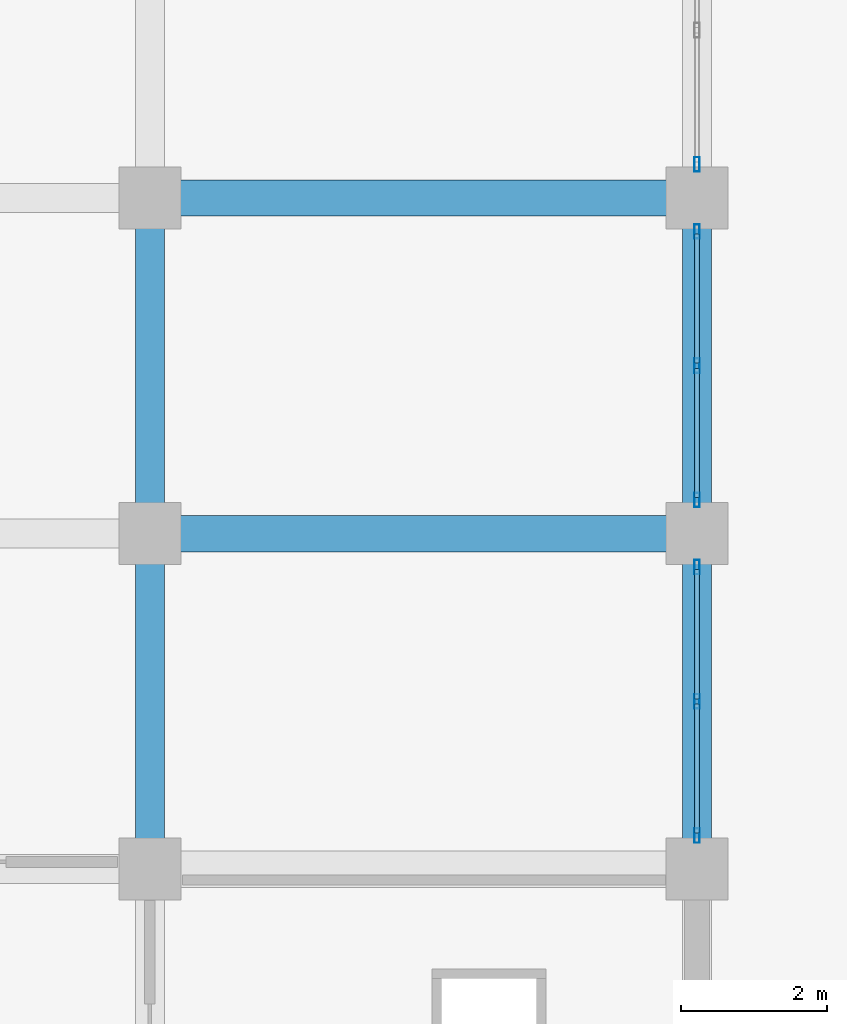
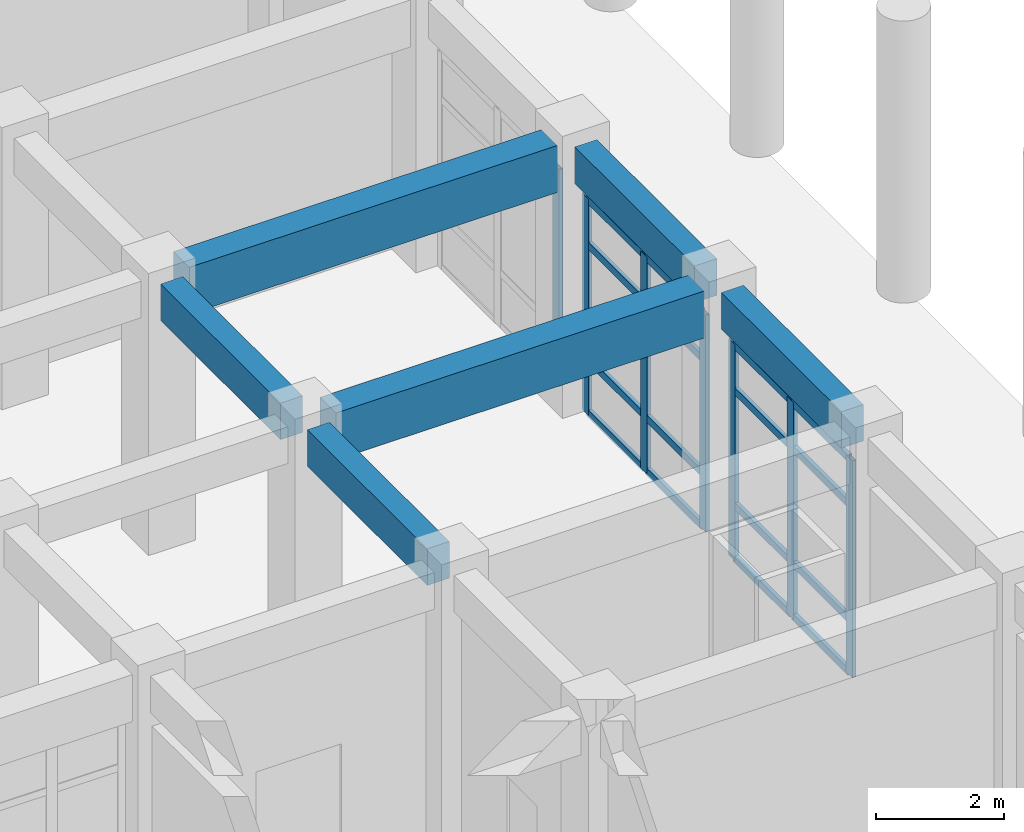
# One storey, part 47 of 84: 23 members, 6 beams, 3 elements without a shape of their own.
"""IFC4 building model written with IfcOpenShell, lengths in metres."""

from ifc_helpers import new_model, si_unit, direction, frame, origin, origin_2d, place, context, subcontext, project, spatial, rectangle, hollow_rectangle, extrude, material, layer, layer_set, material_profile, profile_set, type_object, element, aggregate, save


model = new_model("IFC4")

# Units and contexts
model_context = context("Model", 3, precision=1e-05, world=origin(), true_north=direction((0.0, 1.0)))
body_context = subcontext(model_context, "Body", "Model", "MODEL_VIEW")
ifc_project = project(units=[si_unit("LENGTHUNIT", "METRE"), si_unit("AREAUNIT", "SQUARE_METRE"), si_unit("VOLUMEUNIT", "CUBIC_METRE"), si_unit("PLANEANGLEUNIT", "RADIAN"), si_unit("MASSUNIT", "GRAM", prefix="KILO")], contexts=[model_context])

# Site, building, storey
site_placement = place(None, origin())
site = spatial("IfcSite", under=ifc_project, at=site_placement, CompositionType="ELEMENT")
building_placement = place(site_placement, origin())
building = spatial("IfcBuilding", under=site, at=building_placement, Name="Muzn Square Opera House", CompositionType="ELEMENT")
storey_placement = place(building_placement, origin())
storey = spatial("IfcBuildingStorey", under=building, at=storey_placement, Name="L00", CompositionType="ELEMENT", Elevation=0.0)

# Curtain wall, members
ifc_material_1 = material(Name="Low-E laminated acoustic double glazing", Category="glass")
ifc_layer = layer(ifc_material_1, 0.159912109375, Name="Low-E laminated acoustic double glazing", Category="glass")
ifc_layer_set = layer_set([ifc_layer], Name="Low-E laminated acoustic double glazing")
curtain_wall_type = type_object("IfcCurtainWallType", Name="Glazed Curtain Wall EastBlvd 3750x4150", PredefinedType="USERDEFINED", material=ifc_layer_set)
curtain_wall_1_placement = place(storey_placement, origin())
curtain_wall_1 = element("IfcCurtainWall", 1, at=curtain_wall_1_placement, inside=storey, type_object=curtain_wall_type, Name="Glazed Curtain Wall CW-L00-108", ObjectType="GLAZED CURTAIN WALL", PredefinedType="USERDEFINED")
ifc_material_2 = material(Name="Anodised bronze aluminium 6063-T6", Category="metal")
ifc_material_profile_1 = material_profile(ifc_material_2, hollow_rectangle(XDim=0.070068359375, YDim=0.199951171875, WallThickness=0.0048828125, at=origin_2d()), Name="ALU 200x70x5", Category="metal")
ifc_profile_set_1 = profile_set([ifc_material_profile_1], Name="Anodised bronze aluminium 6063-T6")
member_type_1 = type_object("IfcMemberType", Name="Curtain Wall Mullion 200x70", PredefinedType="MULLION", material=ifc_profile_set_1)
member_1_placement = place(storey_placement, frame((170.0, 54.659912109375, 0.0), z_axis=(0.0, 0.0, 1.0), x_axis=(-1.0, 0.0, 0.0)))
member_1 = element("IfcMember", 2, at=member_1_placement, type_object=member_type_1, Name="CW-EBL-37x41 mullion 1", PredefinedType="MULLION", context=body_context, shape_type="SweptSolid", body=[
    extrude(hollow_rectangle(XDim=0.070068359375, YDim=0.199951171875, WallThickness=0.0048828125, at=origin_2d()), origin(), (0.0, 0.0, 1.0), 4.14990234375),
])
member_2_placement = place(storey_placement, frame((170.0, 56.5, 0.0), z_axis=(0.0, 0.0, 1.0), x_axis=(-1.0, 0.0, 0.0)))
member_2 = element("IfcMember", 3, at=member_2_placement, type_object=member_type_1, Name="CW-EBL-37x41 mullion 2", PredefinedType="MULLION", context=body_context, shape_type="SweptSolid", body=[
    extrude(hollow_rectangle(XDim=0.070068359375, YDim=0.199951171875, WallThickness=0.0048828125, at=origin_2d()), origin(), (0.0, 0.0, 1.0), 4.14990234375),
])
member_3_placement = place(storey_placement, frame((170.0, 58.340087890625, 0.0), z_axis=(0.0, 0.0, 1.0), x_axis=(-1.0, 0.0, 0.0)))
member_3 = element("IfcMember", 4, at=member_3_placement, type_object=member_type_1, Name="CW-EBL-37x41 mullion 3", PredefinedType="MULLION", context=body_context, shape_type="SweptSolid", body=[
    extrude(hollow_rectangle(XDim=0.070068359375, YDim=0.199951171875, WallThickness=0.0048828125, at=origin_2d()), origin(), (0.0, 0.0, 1.0), 4.14990234375),
])

curtain_wall_2_placement = place(storey_placement, origin())
curtain_wall_2 = element("IfcCurtainWall", 5, at=curtain_wall_2_placement, inside=storey, type_object=curtain_wall_type, Name="Glazed Curtain Wall CW-L00-109", ObjectType="GLAZED CURTAIN WALL", PredefinedType="USERDEFINED")
member_4_placement = place(storey_placement, frame((170.0, 59.260009765625, 0.0), z_axis=(0.0, 0.0, 1.0), x_axis=(-1.0, 0.0, 0.0)))
member_4 = element("IfcMember", 6, at=member_4_placement, type_object=member_type_1, Name="CW-EBL-37x41 mullion 1", PredefinedType="MULLION", context=body_context, shape_type="SweptSolid", body=[
    extrude(hollow_rectangle(XDim=0.070068359375, YDim=0.199951171875, WallThickness=0.0048828125, at=origin_2d()), origin(), (0.0, 0.0, 1.0), 4.14990234375),
])
member_5_placement = place(storey_placement, frame((170.0, 61.10009765625, 0.0), z_axis=(0.0, 0.0, 1.0), x_axis=(-1.0, 0.0, 0.0)))
member_5 = element("IfcMember", 7, at=member_5_placement, type_object=member_type_1, Name="CW-EBL-37x41 mullion 2", PredefinedType="MULLION", context=body_context, shape_type="SweptSolid", body=[
    extrude(hollow_rectangle(XDim=0.070068359375, YDim=0.199951171875, WallThickness=0.0048828125, at=origin_2d()), origin(), (0.0, 0.0, 1.0), 4.14990234375),
])
member_6_placement = place(storey_placement, frame((170.0, 62.93994140625, 0.0), z_axis=(0.0, 0.0, 1.0), x_axis=(-1.0, 0.0, 0.0)))
member_6 = element("IfcMember", 8, at=member_6_placement, type_object=member_type_1, Name="CW-EBL-37x41 mullion 3", PredefinedType="MULLION", context=body_context, shape_type="SweptSolid", body=[
    extrude(hollow_rectangle(XDim=0.070068359375, YDim=0.199951171875, WallThickness=0.0048828125, at=origin_2d()), origin(), (0.0, 0.0, 1.0), 4.14990234375),
])

# Curtain wall, member
curtain_wall_3_placement = place(storey_placement, origin())
curtain_wall_3 = element("IfcCurtainWall", 9, at=curtain_wall_3_placement, inside=storey, type_object=curtain_wall_type, Name="Glazed Curtain Wall CW-L00-110", ObjectType="GLAZED CURTAIN WALL", PredefinedType="USERDEFINED")
member_7_placement = place(storey_placement, frame((170.0, 63.860107421875, 0.0), z_axis=(0.0, 0.0, 1.0), x_axis=(-1.0, 0.0, 0.0)))
member_7 = element("IfcMember", 10, at=member_7_placement, type_object=member_type_1, Name="CW-EBL-37x41 mullion 1", PredefinedType="MULLION", context=body_context, shape_type="SweptSolid", body=[
    extrude(hollow_rectangle(XDim=0.070068359375, YDim=0.199951171875, WallThickness=0.0048828125, at=origin_2d()), origin(), (0.0, 0.0, 1.0), 4.14990234375),
])
aggregate(curtain_wall_3, [member_7])

# Member
ifc_material_profile_2 = material_profile(ifc_material_2, hollow_rectangle(XDim=0.070068359375, YDim=0.139892578125, WallThickness=0.00390625, at=origin_2d()), Name="ALU 140x70x4", Category="metal")
ifc_profile_set_2 = profile_set([ifc_material_profile_2], Name="Anodised bronze aluminium 6063-T6")
member_type_2 = type_object("IfcMemberType", Name="Curtain Wall Transom 140x70", PredefinedType="USERDEFINED", material=ifc_profile_set_2)
member_8_placement = place(storey_placement, frame((170.0, 54.695068359375, 0.034912109375), z_axis=(0.0, 1.0, 0.0), x_axis=(-1.0, 0.0, 0.0)))
member_8 = element("IfcMember", 11, at=member_8_placement, type_object=member_type_2, Name="CW-EBL-37x41 transom 1.1", ObjectType="TRANSOM", PredefinedType="USERDEFINED", context=body_context, shape_type="SweptSolid", body=[
    extrude(hollow_rectangle(XDim=0.070068359375, YDim=0.139892578125, WallThickness=0.00390625, at=origin_2d()), origin(), (0.0, 0.0, 1.0), 1.77001953125),
])

member_9_placement = place(storey_placement, frame((170.0, 54.695068359375, 1.050048828125), z_axis=(0.0, 1.0, 0.0), x_axis=(-1.0, 0.0, 0.0)))
member_9 = element("IfcMember", 12, at=member_9_placement, type_object=member_type_2, Name="CW-EBL-37x41 transom 1.2", ObjectType="TRANSOM", PredefinedType="USERDEFINED", context=body_context, shape_type="SweptSolid", body=[
    extrude(hollow_rectangle(XDim=0.070068359375, YDim=0.139892578125, WallThickness=0.00390625, at=origin_2d()), origin(), (0.0, 0.0, 1.0), 1.77001953125),
])

member_10_placement = place(storey_placement, frame((170.0, 54.695068359375, 3.25), z_axis=(0.0, 1.0, 0.0), x_axis=(-1.0, 0.0, 0.0)))
member_10 = element("IfcMember", 13, at=member_10_placement, type_object=member_type_2, Name="CW-EBL-37x41 transom 1.3", ObjectType="TRANSOM", PredefinedType="USERDEFINED", context=body_context, shape_type="SweptSolid", body=[
    extrude(hollow_rectangle(XDim=0.070068359375, YDim=0.139892578125, WallThickness=0.00390625, at=origin_2d()), origin(), (0.0, 0.0, 1.0), 1.77001953125),
])

member_11_placement = place(storey_placement, frame((170.0, 54.695068359375, 4.114990234375), z_axis=(0.0, 1.0, 0.0), x_axis=(-1.0, 0.0, 0.0)))
member_11 = element("IfcMember", 14, at=member_11_placement, type_object=member_type_2, Name="CW-EBL-37x41 transom 1.4", ObjectType="TRANSOM", PredefinedType="USERDEFINED", context=body_context, shape_type="SweptSolid", body=[
    extrude(hollow_rectangle(XDim=0.070068359375, YDim=0.139892578125, WallThickness=0.00390625, at=origin_2d()), origin(), (0.0, 0.0, 1.0), 1.77001953125),
])

member_12_placement = place(storey_placement, frame((170.0, 56.534912109375, 0.034912109375), z_axis=(0.0, 1.0, 0.0), x_axis=(-1.0, 0.0, 0.0)))
member_12 = element("IfcMember", 15, at=member_12_placement, type_object=member_type_2, Name="CW-EBL-37x41 transom 2.1", ObjectType="TRANSOM", PredefinedType="USERDEFINED", context=body_context, shape_type="SweptSolid", body=[
    extrude(hollow_rectangle(XDim=0.070068359375, YDim=0.139892578125, WallThickness=0.00390625, at=origin_2d()), origin(), (0.0, 0.0, 1.0), 1.77001953125),
])

member_13_placement = place(storey_placement, frame((170.0, 56.534912109375, 1.050048828125), z_axis=(0.0, 1.0, 0.0), x_axis=(-1.0, 0.0, 0.0)))
member_13 = element("IfcMember", 16, at=member_13_placement, type_object=member_type_2, Name="CW-EBL-37x41 transom 2.2", ObjectType="TRANSOM", PredefinedType="USERDEFINED", context=body_context, shape_type="SweptSolid", body=[
    extrude(hollow_rectangle(XDim=0.070068359375, YDim=0.139892578125, WallThickness=0.00390625, at=origin_2d()), origin(), (0.0, 0.0, 1.0), 1.77001953125),
])

member_14_placement = place(storey_placement, frame((170.0, 56.534912109375, 3.25), z_axis=(0.0, 1.0, 0.0), x_axis=(-1.0, 0.0, 0.0)))
member_14 = element("IfcMember", 17, at=member_14_placement, type_object=member_type_2, Name="CW-EBL-37x41 transom 2.3", ObjectType="TRANSOM", PredefinedType="USERDEFINED", context=body_context, shape_type="SweptSolid", body=[
    extrude(hollow_rectangle(XDim=0.070068359375, YDim=0.139892578125, WallThickness=0.00390625, at=origin_2d()), origin(), (0.0, 0.0, 1.0), 1.77001953125),
])

member_15_placement = place(storey_placement, frame((170.0, 56.534912109375, 4.114990234375), z_axis=(0.0, 1.0, 0.0), x_axis=(-1.0, 0.0, 0.0)))
member_15 = element("IfcMember", 18, at=member_15_placement, type_object=member_type_2, Name="CW-EBL-37x41 transom 2.4", ObjectType="TRANSOM", PredefinedType="USERDEFINED", context=body_context, shape_type="SweptSolid", body=[
    extrude(hollow_rectangle(XDim=0.070068359375, YDim=0.139892578125, WallThickness=0.00390625, at=origin_2d()), origin(), (0.0, 0.0, 1.0), 1.77001953125),
])

aggregate(curtain_wall_1, [member_1, member_2, member_3, member_8, member_9, member_10, member_11, member_12, member_13, member_14, member_15])

member_16_placement = place(storey_placement, frame((170.0, 59.294921875, 0.034912109375), z_axis=(0.0, 1.0, 0.0), x_axis=(-1.0, 0.0, 0.0)))
member_16 = element("IfcMember", 19, at=member_16_placement, type_object=member_type_2, Name="CW-EBL-37x41 transom 1.1", ObjectType="TRANSOM", PredefinedType="USERDEFINED", context=body_context, shape_type="SweptSolid", body=[
    extrude(hollow_rectangle(XDim=0.070068359375, YDim=0.139892578125, WallThickness=0.00390625, at=origin_2d()), origin(), (0.0, 0.0, 1.0), 1.77001953125),
])

member_17_placement = place(storey_placement, frame((170.0, 59.294921875, 1.050048828125), z_axis=(0.0, 1.0, 0.0), x_axis=(-1.0, 0.0, 0.0)))
member_17 = element("IfcMember", 20, at=member_17_placement, type_object=member_type_2, Name="CW-EBL-37x41 transom 1.2", ObjectType="TRANSOM", PredefinedType="USERDEFINED", context=body_context, shape_type="SweptSolid", body=[
    extrude(hollow_rectangle(XDim=0.070068359375, YDim=0.139892578125, WallThickness=0.00390625, at=origin_2d()), origin(), (0.0, 0.0, 1.0), 1.77001953125),
])

member_18_placement = place(storey_placement, frame((170.0, 59.294921875, 3.25), z_axis=(0.0, 1.0, 0.0), x_axis=(-1.0, 0.0, 0.0)))
member_18 = element("IfcMember", 21, at=member_18_placement, type_object=member_type_2, Name="CW-EBL-37x41 transom 1.3", ObjectType="TRANSOM", PredefinedType="USERDEFINED", context=body_context, shape_type="SweptSolid", body=[
    extrude(hollow_rectangle(XDim=0.070068359375, YDim=0.139892578125, WallThickness=0.00390625, at=origin_2d()), origin(), (0.0, 0.0, 1.0), 1.77001953125),
])

member_19_placement = place(storey_placement, frame((170.0, 59.294921875, 4.114990234375), z_axis=(0.0, 1.0, 0.0), x_axis=(-1.0, 0.0, 0.0)))
member_19 = element("IfcMember", 22, at=member_19_placement, type_object=member_type_2, Name="CW-EBL-37x41 transom 1.4", ObjectType="TRANSOM", PredefinedType="USERDEFINED", context=body_context, shape_type="SweptSolid", body=[
    extrude(hollow_rectangle(XDim=0.070068359375, YDim=0.139892578125, WallThickness=0.00390625, at=origin_2d()), origin(), (0.0, 0.0, 1.0), 1.77001953125),
])

member_20_placement = place(storey_placement, frame((170.0, 61.135009765625, 0.034912109375), z_axis=(0.0, 1.0, 0.0), x_axis=(-1.0, 0.0, 0.0)))
member_20 = element("IfcMember", 23, at=member_20_placement, type_object=member_type_2, Name="CW-EBL-37x41 transom 2.1", ObjectType="TRANSOM", PredefinedType="USERDEFINED", context=body_context, shape_type="SweptSolid", body=[
    extrude(hollow_rectangle(XDim=0.070068359375, YDim=0.139892578125, WallThickness=0.00390625, at=origin_2d()), origin(), (0.0, 0.0, 1.0), 1.77001953125),
])

member_21_placement = place(storey_placement, frame((170.0, 61.135009765625, 1.050048828125), z_axis=(0.0, 1.0, 0.0), x_axis=(-1.0, 0.0, 0.0)))
member_21 = element("IfcMember", 24, at=member_21_placement, type_object=member_type_2, Name="CW-EBL-37x41 transom 2.2", ObjectType="TRANSOM", PredefinedType="USERDEFINED", context=body_context, shape_type="SweptSolid", body=[
    extrude(hollow_rectangle(XDim=0.070068359375, YDim=0.139892578125, WallThickness=0.00390625, at=origin_2d()), origin(), (0.0, 0.0, 1.0), 1.77001953125),
])

member_22_placement = place(storey_placement, frame((170.0, 61.135009765625, 3.25), z_axis=(0.0, 1.0, 0.0), x_axis=(-1.0, 0.0, 0.0)))
member_22 = element("IfcMember", 25, at=member_22_placement, type_object=member_type_2, Name="CW-EBL-37x41 transom 2.3", ObjectType="TRANSOM", PredefinedType="USERDEFINED", context=body_context, shape_type="SweptSolid", body=[
    extrude(hollow_rectangle(XDim=0.070068359375, YDim=0.139892578125, WallThickness=0.00390625, at=origin_2d()), origin(), (0.0, 0.0, 1.0), 1.77001953125),
])

member_23_placement = place(storey_placement, frame((170.0, 61.135009765625, 4.114990234375), z_axis=(0.0, 1.0, 0.0), x_axis=(-1.0, 0.0, 0.0)))
member_23 = element("IfcMember", 26, at=member_23_placement, type_object=member_type_2, Name="CW-EBL-37x41 transom 2.4", ObjectType="TRANSOM", PredefinedType="USERDEFINED", context=body_context, shape_type="SweptSolid", body=[
    extrude(hollow_rectangle(XDim=0.070068359375, YDim=0.139892578125, WallThickness=0.00390625, at=origin_2d()), origin(), (0.0, 0.0, 1.0), 1.77001953125),
])

aggregate(curtain_wall_2, [member_4, member_5, member_6, member_16, member_17, member_18, member_19, member_20, member_21, member_22, member_23])

# Beams
ifc_material_3 = material(Name="Concrete C40/50", Category="concrete")
ifc_material_profile_3 = material_profile(ifc_material_3, rectangle(XDim=0.39990234375, YDim=0.699951171875, at=origin_2d()), Name="RCB 400x700", Category="concrete")
ifc_profile_set_3 = profile_set([ifc_material_profile_3], Name="Concrete C40/50")
beam_type_1 = type_object("IfcBeamType", Name="Primary Girder 400x700", PredefinedType="BEAM", material=ifc_profile_set_3)
beam_1_placement = place(storey_placement, frame((162.5, 54.616943359375, 4.77001953125), z_axis=(0.0, 1.0, 0.0), x_axis=(-1.0, 0.0, 0.0)))
element("IfcBeam", 27, at=beam_1_placement, inside=storey, type_object=beam_type_1, Name="Primary Girder BM-L00-BM-PG700-1625_546_1625_584-1161", PredefinedType="BEAM", context=body_context, shape_type="SweptSolid", body=[
    extrude(rectangle(XDim=0.39990234375, YDim=0.699951171875, at=origin_2d()), origin(), (0.0, 0.0, 1.0), 3.76611328125),
])
beam_2_placement = place(storey_placement, frame((162.5, 59.217041015625, 4.77001953125), z_axis=(0.0, 1.0, 0.0), x_axis=(-1.0, 0.0, 0.0)))
element("IfcBeam", 28, at=beam_2_placement, inside=storey, type_object=beam_type_1, Name="Primary Girder BM-L00-BM-PG700-1625_592_1625_630-1162", PredefinedType="BEAM", context=body_context, shape_type="SweptSolid", body=[
    extrude(rectangle(XDim=0.39990234375, YDim=0.699951171875, at=origin_2d()), origin(), (0.0, 0.0, 1.0), 3.765869140625),
])
beam_3_placement = place(storey_placement, frame((170.0, 54.616943359375, 4.77001953125), z_axis=(0.0, 1.0, 0.0), x_axis=(-1.0, 0.0, 0.0)))
element("IfcBeam", 29, at=beam_3_placement, inside=storey, type_object=beam_type_1, Name="Primary Girder BM-L00-BM-PG700-1700_546_1700_584-1175", PredefinedType="BEAM", context=body_context, shape_type="SweptSolid", body=[
    extrude(rectangle(XDim=0.39990234375, YDim=0.699951171875, at=origin_2d()), origin(), (0.0, 0.0, 1.0), 3.76611328125),
])
beam_4_placement = place(storey_placement, frame((170.0, 59.217041015625, 4.77001953125), z_axis=(0.0, 1.0, 0.0), x_axis=(-1.0, 0.0, 0.0)))
element("IfcBeam", 30, at=beam_4_placement, inside=storey, type_object=beam_type_1, Name="Primary Girder BM-L00-BM-PG700-1700_592_1700_630-1176", PredefinedType="BEAM", context=body_context, shape_type="SweptSolid", body=[
    extrude(rectangle(XDim=0.39990234375, YDim=0.699951171875, at=origin_2d()), origin(), (0.0, 0.0, 1.0), 3.765869140625),
])
ifc_material_profile_4 = material_profile(ifc_material_3, rectangle(XDim=0.5, YDim=0.89990234375, at=origin_2d()), Name="RCB 500x900", Category="concrete")
ifc_profile_set_4 = profile_set([ifc_material_profile_4], Name="Concrete C40/50")
beam_type_2 = type_object("IfcBeamType", Name="Primary Girder 500x900", PredefinedType="BEAM", material=ifc_profile_set_4)
for number, where, z_axis, x_axis, name in (
    (31, (162.9169921875, 58.800048828125, 4.669921875), (1.0, 0.0, 0.0), (0.0, 1.0, 0.0), "Primary Girder BM-L00-BM-PG900-1629_588_1696_588-862"),
    (32, (162.9169921875, 63.39990234375, 4.669921875), (1.0, 0.0, 0.0), (0.0, 1.0, 0.0), "Primary Girder BM-L00-BM-PG900-1629_634_1696_634-878"),
):
    element("IfcBeam", number, at=place(storey_placement, frame(where, z_axis=z_axis, x_axis=x_axis)), inside=storey, type_object=beam_type_2, Name=name, PredefinedType="BEAM", context=body_context, shape_type="SweptSolid", body=[
        extrude(rectangle(XDim=0.5, YDim=0.89990234375, at=origin_2d()), origin(), (0.0, 0.0, 1.0), 6.666015625),
    ])

save(model, "model.ifc")
